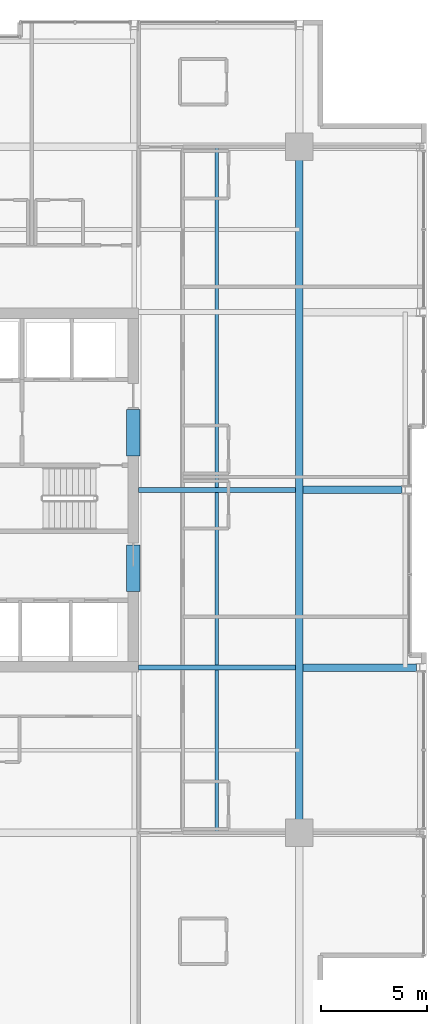
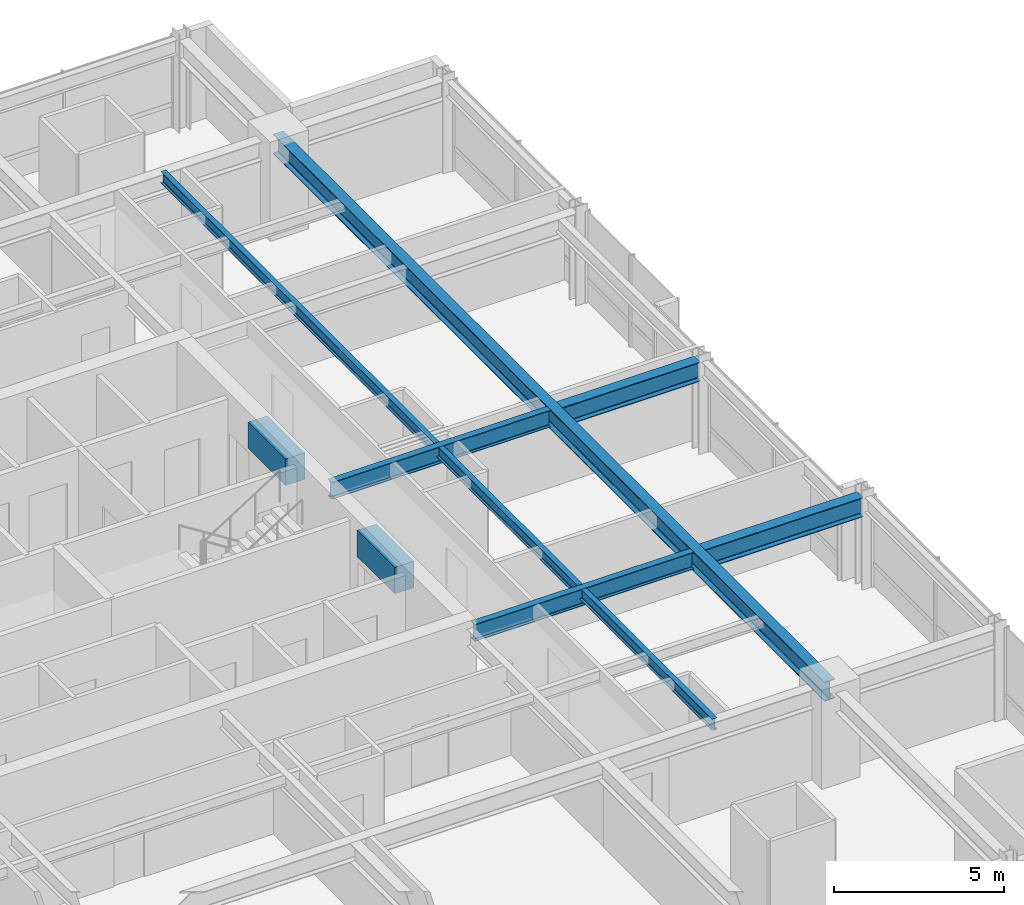
# One storey, part 14 of 31: 8 beams.
"""IFC4 building model written with IfcOpenShell, lengths in metres."""

import ifcopenshell
import ifcopenshell.guid

model = None  # the IFC model being written
_history = None  # IfcOwnerHistory: only IFC2X3 demands one
_inside = {}  # id of a spatial element -> (the spatial element, [elements in it])
_under = {}  # id of a project, library or spatial element -> (it, [spatial elements below it])
_declared = {}  # id of a project -> (the project, [libraries it declares])
_typed = {}  # id of a type object -> (the type object, [elements of that type])
_made_of = {}  # id of a material, layer set ... -> (it, [elements and type objects made of it])


def new_model(schema):
    """Start an empty IFC model of exactly this schema.

    Asked for "IFC4X3", IfcOpenShell would pick the latest addendum, in which some entities
    have other attributes; the version numbers below select the first issue.
    IFC2X3 requires an IfcOwnerHistory on every rooted entity: one is made here for all.
    """
    global model, _history
    if schema == "IFC4X3":
        model = ifcopenshell.file(schema_version=(4, 3, 0, 0))
    else:
        model = ifcopenshell.file(schema=schema)
    _inside.clear()
    _under.clear()
    _declared.clear()
    _typed.clear()
    _made_of.clear()
    _history = None
    if model.schema == "IFC2X3":
        org = make("IfcOrganization", Name="unknown")
        user = make(
            "IfcPersonAndOrganization",
            ThePerson=make("IfcPerson", FamilyName="unknown"),
            TheOrganization=org,
        )
        app = make(
            "IfcApplication",
            ApplicationDeveloper=org,
            Version="unknown",
            ApplicationFullName="unknown",
            ApplicationIdentifier="unknown",
        )
        _history = make(
            "IfcOwnerHistory",
            OwningUser=user,
            OwningApplication=app,
            ChangeAction="ADDED",
            CreationDate=0,
        )
    return model


def make(cls, **values):
    """One entity of the class cls with the attributes given. An attribute that is None is left unset."""
    return model.create_entity(
        cls, **{name: value for name, value in values.items() if value is not None}
    )


def rooted(cls, **values):
    """An entity with a GlobalId (a new one), such as an element, a storey or a relation."""
    return make(cls, GlobalId=ifcopenshell.guid.new(), OwnerHistory=_history, **values)


def si_unit(unit_type, name, prefix=None):
    """IfcSIUnit, for example si_unit("LENGTHUNIT", "METRE", prefix="MILLI")."""
    return make("IfcSIUnit", UnitType=unit_type, Prefix=prefix, Name=name)


def assignment(units):
    """IfcUnitAssignment: the units of a project."""
    return None if units is None else make("IfcUnitAssignment", Units=units)


def point(xyz):
    """IfcCartesianPoint."""
    return None if xyz is None else make("IfcCartesianPoint", Coordinates=xyz)


def direction(xyz):
    """IfcDirection."""
    return None if xyz is None else make("IfcDirection", DirectionRatios=xyz)


def frame(location, z_axis=None, x_axis=None):
    """IfcAxis2Placement3D, a coordinate frame: its origin and axes. An axis left out is left unset."""
    return make(
        "IfcAxis2Placement3D",
        Location=point(location),
        Axis=direction(z_axis),
        RefDirection=direction(x_axis),
    )


def frame_2d(location, x_axis=None):
    """IfcAxis2Placement2D, a coordinate frame in the plane: its origin and x axis."""
    return make(
        "IfcAxis2Placement2D", Location=point(location), RefDirection=direction(x_axis)
    )


def origin():
    """The frame at (0, 0, 0) with its axes left unset."""
    return frame((0.0, 0.0, 0.0))


def origin_2d():
    """The frame at (0, 0) in the plane with its x axis left unset."""
    return frame_2d((0.0, 0.0))


def place(relative_to, where):
    """IfcLocalPlacement: puts the frame where relative to a parent placement (None: the world)."""
    return make(
        "IfcLocalPlacement", PlacementRelTo=relative_to, RelativePlacement=where
    )


def context(
    kind, dimensions, precision=None, world=None, true_north=None, identifier=None
):
    """IfcGeometricRepresentationContext, for example the 3D "Model" context."""
    return make(
        "IfcGeometricRepresentationContext",
        ContextIdentifier=identifier,
        ContextType=kind,
        CoordinateSpaceDimension=dimensions,
        Precision=precision,
        WorldCoordinateSystem=world,
        TrueNorth=true_north,
    )


def subcontext(parent, identifier, kind, view, scale=None):
    """IfcGeometricRepresentationSubContext, for example "Body" below "Model"."""
    return make(
        "IfcGeometricRepresentationSubContext",
        ContextIdentifier=identifier,
        ContextType=kind,
        ParentContext=parent,
        TargetScale=scale,
        TargetView=view,
    )


def project(units=None, contexts=None):
    """IfcProject with its units and contexts."""
    return rooted(
        "IfcProject",
        Name="project",
        RepresentationContexts=contexts,
        UnitsInContext=assignment(units),
    )


def spatial(cls, under=None, at=None, **own):
    """A site, building, storey or space (cls), placed at a placement, below another one or the project."""
    s = rooted(cls, ObjectPlacement=at, **own)
    if under is not None:
        _under.setdefault(under.id(), (under, []))[1].append(s)
    return s


def profile(cls, at=None, kind="AREA", **sizes):
    """A parametric profile (cls). Its sizes go by their IFC names, for example OverallWidth=200.0."""
    return make(cls, ProfileType=kind, Position=at, **sizes)


def rectangle(**sizes):
    """IfcRectangleProfileDef."""
    return profile("IfcRectangleProfileDef", **sizes)


def i_section(**sizes):
    """IfcIShapeProfileDef."""
    return profile("IfcIShapeProfileDef", **sizes)


def extrude(swept, where, along, depth):
    """IfcExtrudedAreaSolid: the profile swept, set in the frame where, extruded along a direction by depth."""
    return make(
        "IfcExtrudedAreaSolid",
        SweptArea=swept,
        Position=where,
        ExtrudedDirection=direction(along),
        Depth=depth,
    )


def shape(context_of_items, identifier, shape_type, items):
    """IfcShapeRepresentation: the items that make up one representation, for example the "Body"."""
    return make(
        "IfcShapeRepresentation",
        ContextOfItems=context_of_items,
        RepresentationIdentifier=identifier,
        RepresentationType=shape_type,
        Items=items,
    )


def material(Name=None, Category=None):
    """IfcMaterial."""
    return make("IfcMaterial", Name=Name, Category=Category)


def material_profile(
    of_material, cross_section, Name=None, Category=None, Priority=None
):
    """IfcMaterialProfile: a cross section and its material."""
    return make(
        "IfcMaterialProfile",
        Name=Name,
        Material=of_material,
        Profile=cross_section,
        Priority=Priority,
        Category=Category,
    )


def profile_set(profiles, Name=None, composite=None):
    """IfcMaterialProfileSet."""
    return make(
        "IfcMaterialProfileSet",
        Name=Name,
        MaterialProfiles=profiles,
        CompositeProfile=composite,
    )


def made_of(thing, what):
    """Note that an element or type object is made of a material, layer set ...; save() writes the relation."""
    if what is not None:
        _made_of.setdefault(what.id(), (what, []))[1].append(thing)
    return thing


def type_object(cls, material=None, **own):
    """A type object (cls), such as IfcWallType, which elements share."""
    return made_of(rooted(cls, **own), material)


def element(
    cls,
    number,
    at=None,
    inside=None,
    cuts=None,
    type_object=None,
    material=None,
    context=None,
    identifier="Body",
    shape_type=None,
    held_by="IfcProductDefinitionShape",
    body=None,
    shapes=None,
    **own,
):
    """One element of the class cls, such as IfcWall. Its Tag is "e" and its number.

    at: its placement. inside: the storey or other place that contains it. cuts: it is an
    opening in that element (IfcRelVoidsElement). A single representation is given by context,
    identifier, shape_type and body (its items); several are given by shapes. held_by: the class
    of the entity that holds the representations. save() writes the other relations.
    """
    e = rooted(cls, Tag="e%d" % number, ObjectPlacement=at, **own)
    if body is not None:
        shapes = [shape(context, identifier, shape_type, body)]
    if shapes is not None:
        e.Representation = make(held_by, Representations=shapes)
    if inside is not None:
        _inside.setdefault(inside.id(), (inside, []))[1].append(e)
    if cuts is not None:
        rooted(
            "IfcRelVoidsElement", RelatingBuildingElement=cuts, RelatedOpeningElement=e
        )
    if type_object is not None:
        _typed.setdefault(type_object.id(), (type_object, []))[1].append(e)
    return made_of(e, material)


def aggregate(whole, parts):
    """IfcRelAggregates: a whole, such as a stair, and the parts it consists of."""
    return rooted("IfcRelAggregates", RelatingObject=whole, RelatedObjects=parts)


def save(model, path):
    """Write the relations noted so far, then the file.

    IfcRelAggregates (storeys below a building ...), IfcRelContainedInSpatialStructure (elements
    in a storey), IfcRelDefinesByType, IfcRelAssociatesMaterial and IfcRelDeclares: one each for
    every whole, place, type object, material and project.
    """
    for whole, parts in _under.values():
        aggregate(whole, parts)
    for where, things in _inside.values():
        rooted(
            "IfcRelContainedInSpatialStructure",
            RelatedElements=things,
            RelatingStructure=where,
        )
    for kind, things in _typed.values():
        rooted("IfcRelDefinesByType", RelatedObjects=things, RelatingType=kind)
    for what, things in _made_of.values():
        rooted("IfcRelAssociatesMaterial", RelatedObjects=things, RelatingMaterial=what)
    for by, libraries in _declared.values():
        rooted("IfcRelDeclares", RelatingContext=by, RelatedDefinitions=libraries)
    model.write(path)


model = new_model("IFC4")

# Units and contexts
model_context = context("Model", 3, precision=1e-05, world=origin(), true_north=direction((0.0, 1.0)))
body_context = subcontext(model_context, "Body", "Model", "MODEL_VIEW")
ifc_project = project(units=[si_unit("LENGTHUNIT", "METRE"), si_unit("AREAUNIT", "SQUARE_METRE"), si_unit("VOLUMEUNIT", "CUBIC_METRE"), si_unit("PLANEANGLEUNIT", "RADIAN"), si_unit("MASSUNIT", "GRAM", prefix="KILO")], contexts=[model_context])

# Site, building, storey
site_placement = place(None, origin())
site = spatial("IfcSite", under=ifc_project, at=site_placement, CompositionType="ELEMENT")
building_placement = place(site_placement, origin())
building = spatial("IfcBuilding", under=site, at=building_placement, Name="Drelvath Grand Hotel", CompositionType="ELEMENT")
storey_placement = place(building_placement, frame((0.0, 0.0, 185.89990234375)))
storey = spatial("IfcBuildingStorey", under=building, at=storey_placement, Name="L48", CompositionType="ELEMENT", Elevation=185.89990234375)

# Beams
ifc_material_1 = material(Name="Steel ASTM A992 Gr 50", Category="steel")
ifc_material_profile_1 = material_profile(ifc_material_1, i_section(OverallWidth=0.177734375, OverallDepth=0.40673828125, WebThickness=0.0078125, FlangeThickness=0.0126953125, FilletRadius=0.014892578125, at=origin_2d()), Name="W16X40")
ifc_profile_set_1 = profile_set([ifc_material_profile_1], Name="Steel ASTM A992 Gr 50")
beam_type_1 = type_object("IfcBeamType", Name="Composite Floor Joist W16X40", PredefinedType="JOIST", material=ifc_profile_set_1)
beam_1_placement = place(storey_placement, frame((12.300048828125, 10.800048828125, 3.086669921875), z_axis=(0.0, 1.0, 0.0), x_axis=(-1.0, 0.0, 0.0)))
element("IfcBeam", 1, at=beam_1_placement, inside=storey, type_object=beam_type_1, Name="L48 Wing Floor Joist J4", PredefinedType="JOIST", context=body_context, shape_type="SweptSolid", body=[
    extrude(i_section(OverallWidth=0.177734375, OverallDepth=0.40673828125, WebThickness=0.0078125, FlangeThickness=0.0126953125, FilletRadius=0.014892578125, at=origin_2d()), origin(), (0.0, 0.0, 1.0), 32.39990234375),
])
ifc_material_2 = material(Name="Concrete f'c 55 MPa", Category="concrete")
ifc_material_profile_2 = material_profile(ifc_material_2, rectangle(XDim=0.64990234375, YDim=0.949951171875, at=origin_2d()), Name="CB650X950")
ifc_profile_set_2 = profile_set([ifc_material_profile_2], Name="Concrete f'c 55 MPa")
beam_type_2 = type_object("IfcBeamType", Name="Core Coupling Lintel CB650X950", PredefinedType="LINTEL", material=ifc_profile_set_2)
for number, where, z_axis, x_axis, name in (
    (2, (8.35009765625, 22.199951171875, 2.815185546875), (0.0, 1.0, 0.0), (-1.0, 0.0, 0.0), "L48 Core Coupling Lintel ES"),
    (3, (8.35009765625, 28.60009765625, 2.815185546875), (0.0, 1.0, 0.0), (-1.0, 0.0, 0.0), "L48 Core Coupling Lintel EN"),
):
    element("IfcBeam", number, at=place(storey_placement, frame(where, z_axis=z_axis, x_axis=x_axis)), inside=storey, type_object=beam_type_2, Name=name, PredefinedType="LINTEL", context=body_context, shape_type="SweptSolid", body=[
        extrude(rectangle(XDim=0.64990234375, YDim=0.949951171875, at=origin_2d()), origin(), (0.0, 0.0, 1.0), 2.199951171875),
    ])
ifc_material_profile_3 = material_profile(ifc_material_1, i_section(OverallWidth=0.228271484375, OverallDepth=0.607666015625, WebThickness=0.01123046875, FlangeThickness=0.017333984375, FilletRadius=0.02001953125, at=origin_2d()), Name="W24X76")
ifc_profile_set_3 = profile_set([ifc_material_profile_3], Name="Steel ASTM A992 Gr 50")
beam_type_3 = type_object("IfcBeamType", Name="Primary Floor Girder W24X76", PredefinedType="BEAM", material=ifc_profile_set_3)
for number, where, z_axis, x_axis, name in (
    (4, (8.60009765625, 18.60009765625, 2.986328125), (1.0, 0.0, 0.0), (0.0, 1.0, 0.0), "L48 East Core Tie D"),
    (5, (8.60009765625, 27.0, 2.986328125), (1.0, 0.0, 0.0), (0.0, 1.0, 0.0), "L48 East Core Tie E"),
):
    element("IfcBeam", number, at=place(storey_placement, frame(where, z_axis=z_axis, x_axis=x_axis)), inside=storey, type_object=beam_type_3, Name=name, PredefinedType="BEAM", context=body_context, shape_type="SweptSolid", body=[
        extrude(i_section(OverallWidth=0.228271484375, OverallDepth=0.607666015625, WebThickness=0.01123046875, FlangeThickness=0.017333984375, FilletRadius=0.02001953125, at=origin_2d()), origin(), (0.0, 0.0, 1.0), 7.422607421875),
    ])
ifc_material_profile_4 = material_profile(ifc_material_1, i_section(OverallWidth=0.354736328125, OverallDepth=0.695556640625, WebThickness=0.015380859375, FlangeThickness=0.025146484375, FilletRadius=0.02392578125, at=origin_2d()), Name="W27X146")
ifc_profile_set_4 = profile_set([ifc_material_profile_4], Name="Steel ASTM A992 Gr 50")
beam_type_4 = type_object("IfcBeamType", Name="Primary Floor Girder W27X146", PredefinedType="BEAM", material=ifc_profile_set_4)
beam_2_placement = place(storey_placement, frame((16.199951171875, 10.800048828125, 2.9423828125), z_axis=(0.0, 1.0, 0.0), x_axis=(-1.0, 0.0, 0.0)))
element("IfcBeam", 6, at=beam_2_placement, inside=storey, type_object=beam_type_4, Name="L48 Mega Ring Girder East", PredefinedType="BEAM", context=body_context, shape_type="SweptSolid", body=[
    extrude(i_section(OverallWidth=0.354736328125, OverallDepth=0.695556640625, WebThickness=0.015380859375, FlangeThickness=0.025146484375, FilletRadius=0.02392578125, at=origin_2d()), origin(), (0.0, 0.0, 1.0), 32.39990234375),
])
beam_3_placement = place(storey_placement, frame((16.37744140625, 18.60009765625, 2.9423828125), z_axis=(1.0, 0.0, 0.0), x_axis=(0.0, 1.0, 0.0)))
element("IfcBeam", 7, at=beam_3_placement, inside=storey, type_object=beam_type_4, Name="L48 East Wing Girder D", PredefinedType="BEAM", context=body_context, shape_type="SweptSolid", body=[
    extrude(i_section(OverallWidth=0.354736328125, OverallDepth=0.695556640625, WebThickness=0.015380859375, FlangeThickness=0.025146484375, FilletRadius=0.02392578125, at=origin_2d()), origin(), (0.0, 0.0, 1.0), 5.362548828125),
])
beam_4_placement = place(storey_placement, frame((16.37744140625, 27.0, 2.9423828125), z_axis=(1.0, 0.0, 0.0), x_axis=(0.0, 1.0, 0.0)))
element("IfcBeam", 8, at=beam_4_placement, inside=storey, type_object=beam_type_4, Name="L48 East Wing Girder E", PredefinedType="BEAM", context=body_context, shape_type="SweptSolid", body=[
    extrude(i_section(OverallWidth=0.354736328125, OverallDepth=0.695556640625, WebThickness=0.015380859375, FlangeThickness=0.025146484375, FilletRadius=0.02392578125, at=origin_2d()), origin(), (0.0, 0.0, 1.0), 4.6826171875),
])

save(model, "model.ifc")
